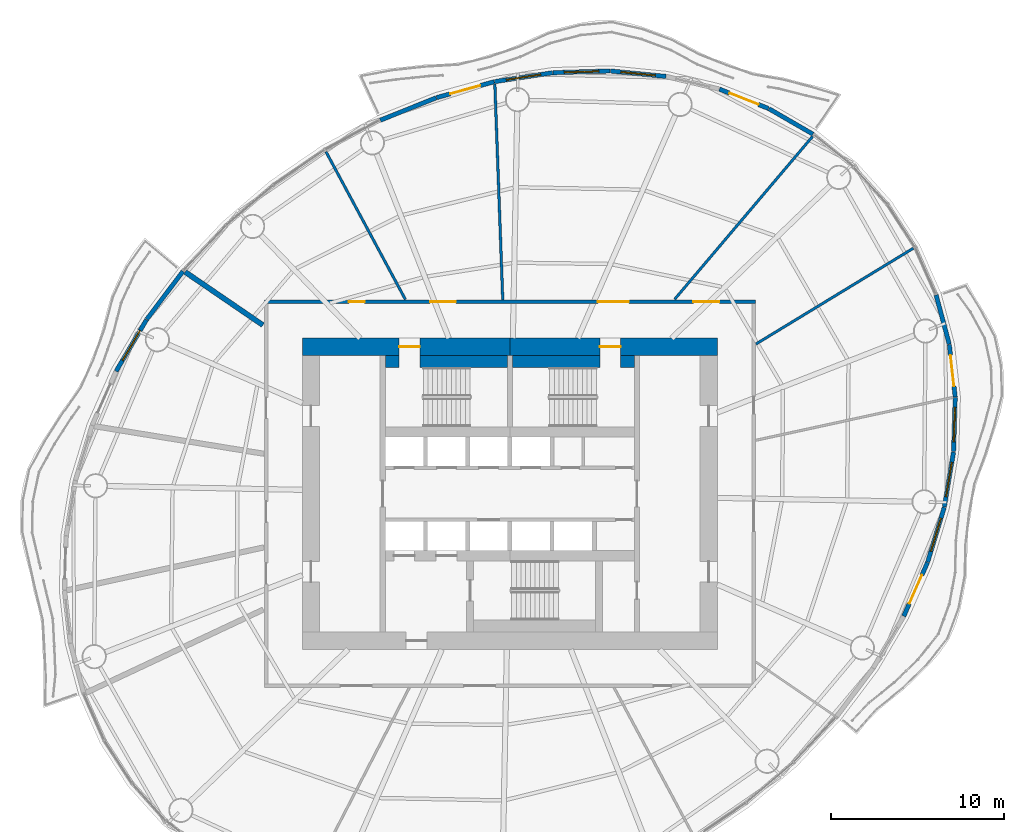
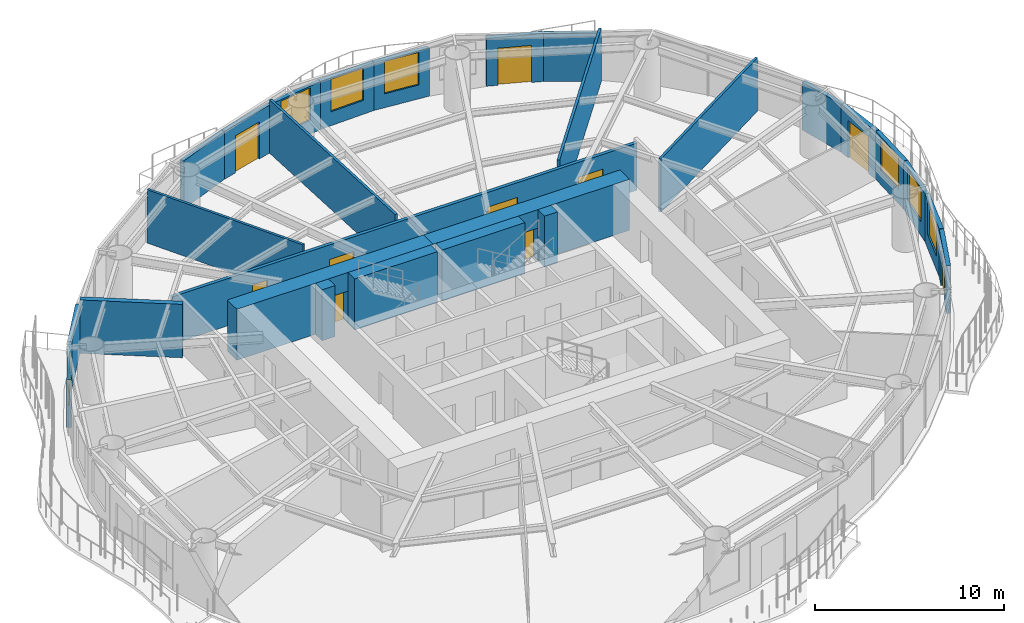
# One storey, part 10 of 15: 27 walls, 10 doors, 7 windows, 17 openings.
"""IFC4 building model written with IfcOpenShell, lengths in metres."""

from ifc_helpers import new_model, si_unit, direction, frame, frame_2d, origin, place, context, subcontext, project, spatial, rectangle, extrude, material, layer, layer_set, type_object, element, fill, save


model = new_model("IFC4")

# Units and contexts
model_context = context("Model", 3, precision=1e-05, world=origin(), true_north=direction((0.0, 1.0)))
body_context = subcontext(model_context, "Body", "Model", "MODEL_VIEW")
ifc_project = project(units=[si_unit("LENGTHUNIT", "METRE"), si_unit("AREAUNIT", "SQUARE_METRE"), si_unit("VOLUMEUNIT", "CUBIC_METRE"), si_unit("PLANEANGLEUNIT", "RADIAN"), si_unit("MASSUNIT", "GRAM", prefix="KILO")], contexts=[model_context])

# Site, building, storey
site_placement = place(None, origin())
site = spatial("IfcSite", under=ifc_project, at=site_placement, CompositionType="ELEMENT")
building_placement = place(site_placement, origin())
building = spatial("IfcBuilding", under=site, at=building_placement, Name="Vermilion Reach Broadcast Tower", CompositionType="ELEMENT")
storey_placement = place(building_placement, frame((0.0, 0.0, 183.0)))
storey = spatial("IfcBuildingStorey", under=building, at=storey_placement, Name="L44", CompositionType="ELEMENT", Elevation=183.0)

# Wall, opening, door
ifc_material_1 = material(Name="Concrete C70", Category="concrete")
ifc_layer_1 = layer(ifc_material_1, 1.0)
ifc_layer_set_1 = layer_set([ifc_layer_1], Name="Core outer wall 1000 mm Concrete C70")
wall_type_1 = type_object("IfcWallType", Name="Core outer wall 1000 mm Concrete C70", PredefinedType="SHEAR", material=ifc_layer_set_1)
wall_1_placement = place(storey_placement, frame((6.0, 8.5, 0.0), z_axis=(0.0, 0.0, 1.0), x_axis=(-1.0, 0.0, 0.0)))
wall_1 = element("IfcWall", 1, at=wall_1_placement, inside=storey, type_object=wall_type_1, Name="L44 core wall onE", PredefinedType="SHEAR", context=body_context, shape_type="SweptSolid", body=[
    extrude(rectangle(XDim=12.0, YDim=1.0, at=frame_2d((6.0, 0.0))), origin(), (0.0, 0.0, 1.0), 3.300048828125),
])
opening_1_placement = place(wall_1_placement, frame((5.60009765625, 0.0, 0.0)))
opening_1 = element("IfcOpeningElement", 2, at=opening_1_placement, cuts=wall_1, Name="Opening D01", PredefinedType="OPENING", context=body_context, shape_type="SweptSolid", body=[
    extrude(rectangle(XDim=1.199951171875, YDim=2.10009765625, at=frame_2d((0.60009765625, 1.050048828125))), frame((0.0, 0.510009765625, 0.0), z_axis=(0.0, -1.0, 0.0), x_axis=(1.0, 0.0, 0.0)), (0.0, 0.0, 1.0), 1.02001953125),
])
ifc_material_2 = material(Name="Painted steel fire door", Category="steel")
door_type_1 = type_object("IfcDoorType", Name="Stair door 1200 x 2100", OperationType="DOUBLE_DOOR_SINGLE_SWING", PredefinedType="NOTDEFINED", material=ifc_material_2)
door_1_placement = place(opening_1_placement, origin())
door_1 = element("IfcDoor", 3, at=door_1_placement, inside=storey, type_object=door_type_1, Name="L44 stair door ST2", OperationType="DOUBLE_DOOR_SINGLE_SWING", OverallHeight=2.10009765625, OverallWidth=1.199951171875, PredefinedType="NOTDEFINED", context=body_context, shape_type="SweptSolid", body=[
    extrude(rectangle(XDim=1.199951171875, YDim=2.10009765625, at=frame_2d((0.60009765625, 1.050048828125))), frame((0.0, 0.02490234375, 0.0), z_axis=(0.0, -1.0, 0.0), x_axis=(1.0, 0.0, 0.0)), (0.0, 0.0, 1.0), 0.050048828125),
])
fill(opening_1, door_1)

wall_2_placement = place(storey_placement, frame((-6.0, 8.5, 0.0), z_axis=(0.0, 0.0, 1.0), x_axis=(-1.0, 0.0, 0.0)))
wall_2 = element("IfcWall", 4, at=wall_2_placement, inside=storey, type_object=wall_type_1, Name="L44 core wall onW", PredefinedType="SHEAR", context=body_context, shape_type="SweptSolid", body=[
    extrude(rectangle(XDim=12.0, YDim=1.0, at=frame_2d((6.0, 0.0))), origin(), (0.0, 0.0, 1.0), 3.300048828125),
])
opening_2_placement = place(wall_2_placement, frame((5.199951171875, 0.0, 0.0)))
opening_2 = element("IfcOpeningElement", 5, at=opening_2_placement, cuts=wall_2, Name="Opening D01", PredefinedType="OPENING", context=body_context, shape_type="SweptSolid", body=[
    extrude(rectangle(XDim=1.199951171875, YDim=2.10009765625, at=frame_2d((0.60009765625, 1.050048828125))), frame((0.0, 0.510009765625, 0.0), z_axis=(0.0, -1.0, 0.0), x_axis=(1.0, 0.0, 0.0)), (0.0, 0.0, 1.0), 1.02001953125),
])
door_2_placement = place(opening_2_placement, origin())
door_2 = element("IfcDoor", 6, at=door_2_placement, inside=storey, type_object=door_type_1, Name="L44 stair door ST1", OperationType="DOUBLE_DOOR_SINGLE_SWING", OverallHeight=2.10009765625, OverallWidth=1.199951171875, PredefinedType="NOTDEFINED", context=body_context, shape_type="SweptSolid", body=[
    extrude(rectangle(XDim=1.199951171875, YDim=2.10009765625, at=frame_2d((0.60009765625, 1.050048828125))), frame((0.0, 0.02490234375, 0.0), z_axis=(0.0, -1.0, 0.0), x_axis=(1.0, 0.0, 0.0)), (0.0, 0.0, 1.0), 0.050048828125),
])
fill(opening_2, door_2)

# Walls
ifc_material_3 = material(Name="Concrete C70", Category="concrete")
ifc_layer_2 = layer(ifc_material_3, 0.699951171875)
ifc_layer_set_2 = layer_set([ifc_layer_2], Name="Core stair wall 700 mm Concrete C70")
wall_type_2 = type_object("IfcWallType", Name="Core stair wall 700 mm Concrete C70", PredefinedType="SHEAR", material=ifc_layer_set_2)
wall_3_placement = place(storey_placement, frame((-13.199951171875, 7.64990234375, 0.0), z_axis=(0.0, 0.0, 1.0), x_axis=(1.0, 0.0, 0.0)))
element("IfcWall", 7, at=wall_3_placement, inside=storey, type_object=wall_type_2, Name="L44 core wall l1a", PredefinedType="SHEAR", context=body_context, shape_type="SweptSolid", body=[
    extrude(rectangle(XDim=0.800048828125, YDim=0.699951171875, at=frame_2d((0.39990234375, 0.0))), origin(), (0.0, 0.0, 1.0), 3.300048828125),
])
for number, where, z_axis, x_axis, name in (
    (8, (-11.199951171875, 7.64990234375, 0.0), (0.0, 0.0, 1.0), (1.0, 0.0, 0.0), "L44 core wall l1b"),
    (9, (-5.85009765625, 7.64990234375, 0.0), (0.0, 0.0, 1.0), (1.0, 0.0, 0.0), "L44 core wall l2a"),
):
    element("IfcWall", number, at=place(storey_placement, frame(where, z_axis=z_axis, x_axis=x_axis)), inside=storey, type_object=wall_type_2, Name=name, PredefinedType="SHEAR", context=body_context, shape_type="SweptSolid", body=[
        extrude(rectangle(XDim=5.050048828125, YDim=0.699951171875, at=frame_2d((2.52490234375, 0.0))), origin(), (0.0, 0.0, 1.0), 3.300048828125),
    ])
wall_4_placement = place(storey_placement, frame((0.39990234375, 7.64990234375, 0.0), z_axis=(0.0, 0.0, 1.0), x_axis=(1.0, 0.0, 0.0)))
element("IfcWall", 10, at=wall_4_placement, inside=storey, type_object=wall_type_2, Name="L44 core wall l2b", PredefinedType="SHEAR", context=body_context, shape_type="SweptSolid", body=[
    extrude(rectangle(XDim=0.800048828125, YDim=0.699951171875, at=frame_2d((0.39990234375, 0.0))), origin(), (0.0, 0.0, 1.0), 3.300048828125),
])
ifc_material_4 = material(Name="Lightweight concrete block, plastered", Category="concrete")
ifc_layer_3 = layer(ifc_material_4, 0.14990234375)
ifc_layer_set_3 = layer_set([ifc_layer_3], Name="Partition 150 lightweight block")
wall_type_3 = type_object("IfcWallType", Name="Partition 150 lightweight block", PredefinedType="PARTITIONING", material=ifc_layer_set_3)
wall_5_placement = place(storey_placement, frame((11.5087890625, 20.670654296875, 0.0), z_axis=(0.0, 0.0, 1.0), x_axis=(-0.646338339336, -0.763050949219, 0.0)))
element("IfcWall", 11, at=wall_5_placement, inside=storey, type_object=wall_type_3, Name="Partition 44.01", PredefinedType="PARTITIONING", context=body_context, shape_type="SweptSolid", body=[
    extrude(rectangle(XDim=12.347900390625, YDim=0.14990234375, at=frame_2d((6.173828125, 0.0))), origin(), (0.0, 0.0, 1.0), 3.449951171875),
])
wall_6_placement = place(storey_placement, frame((-6.86865234375, 23.71630859375, 0.0), z_axis=(0.0, 0.0, 1.0), x_axis=(0.036615044028, -0.999329444453, 0.0)))
element("IfcWall", 12, at=wall_6_placement, inside=storey, type_object=wall_type_3, Name="Partition 44.02", PredefinedType="PARTITIONING", context=body_context, shape_type="SweptSolid", body=[
    extrude(rectangle(XDim=12.52197265625, YDim=0.14990234375, at=frame_2d((6.260986328125, 0.0))), origin(), (0.0, 0.0, 1.0), 3.449951171875),
])
wall_7_placement = place(storey_placement, frame((-16.636474609375, 19.7900390625, 0.0), z_axis=(0.0, 0.0, 1.0), x_axis=(0.473414588536, -0.880839728532, 0.0)))
element("IfcWall", 13, at=wall_7_placement, inside=storey, type_object=wall_type_3, Name="Partition 44.03", PredefinedType="PARTITIONING", context=body_context, shape_type="SweptSolid", body=[
    extrude(rectangle(XDim=9.711669921875, YDim=0.14990234375, at=frame_2d((4.85595703125, 0.0))), origin(), (0.0, 0.0, 1.0), 3.449951171875),
])
wall_8_placement = place(storey_placement, frame((17.334716796875, 14.203857421875, 0.0), z_axis=(0.0, 0.0, 1.0), x_axis=(-0.854194128167, -0.51995422049, 0.0)))
element("IfcWall", 14, at=wall_8_placement, inside=storey, type_object=wall_type_3, Name="Partition 44.12", PredefinedType="PARTITIONING", context=body_context, shape_type="SweptSolid", body=[
    extrude(rectangle(XDim=10.648193359375, YDim=0.14990234375, at=frame_2d((5.32421875, 0.0))), origin(), (0.0, 0.0, 1.0), 3.449951171875),
])
ifc_material_5 = material(Name="Double-leaf plasterboard on isolated steel stud", Category="steel")
ifc_layer_4 = layer(ifc_material_5, 0.300048828125)
ifc_layer_set_4 = layer_set([ifc_layer_4], Name="Partition 300 acoustic double leaf")
wall_type_4 = type_object("IfcWallType", Name="Partition 300 acoustic double leaf", PredefinedType="PARTITIONING", material=ifc_layer_set_4)
wall_9_placement = place(storey_placement, frame((-24.779052734375, 12.832275390625, 0.0), z_axis=(0.0, 0.0, 1.0), x_axis=(0.825654739336, -0.564175727422, 0.0)))
element("IfcWall", 15, at=wall_9_placement, inside=storey, type_object=wall_type_4, Name="Partition 44.04", PredefinedType="PARTITIONING", context=body_context, shape_type="SweptSolid", body=[
    extrude(rectangle(XDim=5.443359375, YDim=0.300048828125, at=frame_2d((2.7216796875, 0.0))), origin(), (0.0, 0.0, 1.0), 3.449951171875),
])
ifc_material_6 = material(Name="Terracotta rainscreen cladding", Category="masonry")
ifc_layer_5 = layer(ifc_material_6, 0.25)
ifc_layer_set_5 = layer_set([ifc_layer_5], Name="Terracotta rainscreen wall 250")
wall_type_5 = type_object("IfcWallType", Name="Terracotta rainscreen wall 250", PredefinedType="SOLIDWALL", material=ifc_layer_set_5)
wall_10_placement = place(storey_placement, frame((11.531982421875, 20.80126953125, 0.0), z_axis=(0.0, 0.0, 1.0), x_axis=(-0.865519049877, 0.500876006912, 0.0)))
element("IfcWall", 16, at=wall_10_placement, inside=storey, type_object=wall_type_5, Name="External wall L44 02", PredefinedType="SOLIDWALL", context=body_context, shape_type="SweptSolid", body=[
    extrude(rectangle(XDim=2.942626953125, YDim=0.25, at=frame_2d((1.47119140625, 0.0))), origin(), (0.0, 0.0, 1.0), 3.10009765625),
])

# Wall, opening, door
wall_11_placement = place(storey_placement, frame((8.961181640625, 22.28662109375, 0.0), z_axis=(0.0, 0.0, 1.0), x_axis=(-0.930291773294, 0.366820414564, 0.0)))
wall_11 = element("IfcWall", 17, at=wall_11_placement, inside=storey, type_object=wall_type_5, Name="External wall L44 03", PredefinedType="SOLIDWALL", context=body_context, shape_type="SweptSolid", body=[
    extrude(rectangle(XDim=3.051513671875, YDim=0.25, at=frame_2d((1.52587890625, 0.0))), origin(), (0.0, 0.0, 1.0), 3.10009765625),
])
opening_3_placement = place(wall_11_placement, frame((0.6259765625, 0.0, 0.0)))
opening_3 = element("IfcOpeningElement", 18, at=opening_3_placement, cuts=wall_11, Name="Opening D70", PredefinedType="OPENING", context=body_context, shape_type="SweptSolid", body=[
    extrude(rectangle(XDim=1.800048828125, YDim=2.39990234375, at=frame_2d((0.89990234375, 1.199951171875))), frame((0.0, 0.135009765625, 0.0), z_axis=(0.0, -1.0, 0.0), x_axis=(1.0, 0.0, 0.0)), (0.0, 0.0, 1.0), 0.27001953125),
])
ifc_material_7 = material(Name="Low-e laminated clear glass in aluminium frame", Category="aluminium")
door_type_2 = type_object("IfcDoorType", Name="Balcony sliding door 1800 x 2400", OperationType="DOUBLE_DOOR_SLIDING", PredefinedType="DOOR", material=ifc_material_7)
door_3_placement = place(opening_3_placement, origin())
door_3 = element("IfcDoor", 19, at=door_3_placement, inside=storey, type_object=door_type_2, Name="Balcony door L44 run 01", OperationType="DOUBLE_DOOR_SLIDING", OverallHeight=2.39990234375, OverallWidth=1.800048828125, PredefinedType="DOOR", context=body_context, shape_type="SweptSolid", body=[
    extrude(rectangle(XDim=1.800048828125, YDim=2.39990234375, at=frame_2d((0.89990234375, 1.199951171875))), frame((0.0, 0.02490234375, 0.0), z_axis=(0.0, -1.0, 0.0), x_axis=(1.0, 0.0, 0.0)), (0.0, 0.0, 1.0), 0.050048828125),
])
fill(opening_3, door_3)

# Wall, opening, window
wall_12_placement = place(storey_placement, frame((3.02587890625, 24.141845703125, 0.0), z_axis=(0.0, 0.0, 1.0), x_axis=(-0.995197289781, 0.097889501037, 0.0)))
wall_12 = element("IfcWall", 20, at=wall_12_placement, inside=storey, type_object=wall_type_5, Name="External wall L44 05", PredefinedType="SOLIDWALL", context=body_context, shape_type="SweptSolid", body=[
    extrude(rectangle(XDim=3.2197265625, YDim=0.25, at=frame_2d((1.60986328125, 0.0))), origin(), (0.0, 0.0, 1.0), 3.10009765625),
])
opening_4_placement = place(wall_12_placement, frame((0.60986328125, 0.0, 0.89990234375)))
opening_4 = element("IfcOpeningElement", 21, at=opening_4_placement, cuts=wall_12, Name="Opening W03", PredefinedType="OPENING", context=body_context, shape_type="SweptSolid", body=[
    extrude(rectangle(XDim=2.0, YDim=2.10009765625, at=frame_2d((1.0, 1.050048828125))), frame((0.0, 0.135009765625, 0.0), z_axis=(0.0, -1.0, 0.0), x_axis=(1.0, 0.0, 0.0)), (0.0, 0.0, 1.0), 0.27001953125),
])
ifc_material_8 = material(Name="Low-e laminated clear glass in aluminium frame", Category="aluminium")
window_type = type_object("IfcWindowType", Name="Punched window 2000 x 2100 sill 900", PartitioningType="SINGLE_PANEL", PredefinedType="WINDOW", material=ifc_material_8)
window_1_placement = place(opening_4_placement, origin())
window_1 = element("IfcWindow", 22, at=window_1_placement, inside=storey, type_object=window_type, Name="Window L44 05", OverallHeight=2.10009765625, OverallWidth=2.0, PartitioningType="SINGLE_PANEL", PredefinedType="WINDOW", context=body_context, shape_type="SweptSolid", body=[
    extrude(rectangle(XDim=2.0, YDim=2.10009765625, at=frame_2d((1.0, 1.050048828125))), frame((0.0, 0.030029296875, 0.0), z_axis=(0.0, -1.0, 0.0), x_axis=(1.0, 0.0, 0.0)), (0.0, 0.0, 1.0), 0.06005859375),
])
fill(opening_4, window_1)

wall_13_placement = place(storey_placement, frame((-0.20263671875, 24.4580078125, 0.0), z_axis=(0.0, 0.0, 1.0), x_axis=(-0.999539823928, -0.030333815819, 0.0)))
wall_13 = element("IfcWall", 23, at=wall_13_placement, inside=storey, type_object=wall_type_5, Name="External wall L44 06", PredefinedType="SOLIDWALL", context=body_context, shape_type="SweptSolid", body=[
    extrude(rectangle(XDim=3.307861328125, YDim=0.25, at=frame_2d((1.65380859375, 0.0))), origin(), (0.0, 0.0, 1.0), 3.10009765625),
])
opening_5_placement = place(wall_13_placement, frame((0.654052734375, 0.0, 0.89990234375)))
opening_5 = element("IfcOpeningElement", 24, at=opening_5_placement, cuts=wall_13, Name="Opening W03", PredefinedType="OPENING", context=body_context, shape_type="SweptSolid", body=[
    extrude(rectangle(XDim=2.0, YDim=2.10009765625, at=frame_2d((1.0, 1.050048828125))), frame((0.0, 0.135009765625, 0.0), z_axis=(0.0, -1.0, 0.0), x_axis=(1.0, 0.0, 0.0)), (0.0, 0.0, 1.0), 0.27001953125),
])
window_2_placement = place(opening_5_placement, origin())
window_2 = element("IfcWindow", 25, at=window_2_placement, inside=storey, type_object=window_type, Name="Window L44 06", OverallHeight=2.10009765625, OverallWidth=2.0, PartitioningType="SINGLE_PANEL", PredefinedType="WINDOW", context=body_context, shape_type="SweptSolid", body=[
    extrude(rectangle(XDim=2.0, YDim=2.10009765625, at=frame_2d((1.0, 1.050048828125))), frame((0.0, 0.030029296875, 0.0), z_axis=(0.0, -1.0, 0.0), x_axis=(1.0, 0.0, 0.0)), (0.0, 0.0, 1.0), 0.06005859375),
])
fill(opening_5, window_2)

wall_14_placement = place(storey_placement, frame((-3.5322265625, 24.35546875, 0.0), z_axis=(0.0, 0.0, 1.0), x_axis=(-0.988391666962, -0.151927326968, 0.0)))
wall_14 = element("IfcWall", 26, at=wall_14_placement, inside=storey, type_object=wall_type_5, Name="External wall L44 07", PredefinedType="SOLIDWALL", context=body_context, shape_type="SweptSolid", body=[
    extrude(rectangle(XDim=3.390625, YDim=0.25, at=frame_2d((1.6953125, 0.0))), origin(), (0.0, 0.0, 1.0), 3.10009765625),
])
opening_6_placement = place(wall_14_placement, frame((0.6953125, 0.0, 0.89990234375)))
opening_6 = element("IfcOpeningElement", 27, at=opening_6_placement, cuts=wall_14, Name="Opening W03", PredefinedType="OPENING", context=body_context, shape_type="SweptSolid", body=[
    extrude(rectangle(XDim=2.0, YDim=2.10009765625, at=frame_2d((1.0, 1.050048828125))), frame((0.0, 0.135009765625, 0.0), z_axis=(0.0, -1.0, 0.0), x_axis=(1.0, 0.0, 0.0)), (0.0, 0.0, 1.0), 0.27001953125),
])
window_3_placement = place(opening_6_placement, origin())
window_3 = element("IfcWindow", 28, at=window_3_placement, inside=storey, type_object=window_type, Name="Window L44 07", OverallHeight=2.10009765625, OverallWidth=2.0, PartitioningType="SINGLE_PANEL", PredefinedType="WINDOW", context=body_context, shape_type="SweptSolid", body=[
    extrude(rectangle(XDim=2.0, YDim=2.10009765625, at=frame_2d((1.0, 1.050048828125))), frame((0.0, 0.030029296875, 0.0), z_axis=(0.0, -1.0, 0.0), x_axis=(1.0, 0.0, 0.0)), (0.0, 0.0, 1.0), 0.06005859375),
])
fill(opening_6, window_3)

# Wall, opening, door
wall_15_placement = place(storey_placement, frame((-6.90576171875, 23.835693359375, 0.0), z_axis=(0.0, 0.0, 1.0), x_axis=(-0.963922792933, -0.266181985236, 0.0)))
wall_15 = element("IfcWall", 29, at=wall_15_placement, inside=storey, type_object=wall_type_5, Name="External wall L44 08", PredefinedType="SOLIDWALL", context=body_context, shape_type="SweptSolid", body=[
    extrude(rectangle(XDim=3.46337890625, YDim=0.25, at=frame_2d((1.731689453125, 0.0))), origin(), (0.0, 0.0, 1.0), 3.10009765625),
])
opening_7_placement = place(wall_15_placement, frame((0.83203125, 0.0, 0.0)))
opening_7 = element("IfcOpeningElement", 30, at=opening_7_placement, cuts=wall_15, Name="Opening D70", PredefinedType="OPENING", context=body_context, shape_type="SweptSolid", body=[
    extrude(rectangle(XDim=1.800048828125, YDim=2.39990234375, at=frame_2d((0.89990234375, 1.199951171875))), frame((0.0, 0.135009765625, 0.0), z_axis=(0.0, -1.0, 0.0), x_axis=(1.0, 0.0, 0.0)), (0.0, 0.0, 1.0), 0.27001953125),
])
door_4_placement = place(opening_7_placement, origin())
door_4 = element("IfcDoor", 31, at=door_4_placement, inside=storey, type_object=door_type_2, Name="Balcony door L44 run 02", OperationType="DOUBLE_DOOR_SLIDING", OverallHeight=2.39990234375, OverallWidth=1.800048828125, PredefinedType="DOOR", context=body_context, shape_type="SweptSolid", body=[
    extrude(rectangle(XDim=1.800048828125, YDim=2.39990234375, at=frame_2d((0.89990234375, 1.199951171875))), frame((0.0, 0.02490234375, 0.0), z_axis=(0.0, -1.0, 0.0), x_axis=(1.0, 0.0, 0.0)), (0.0, 0.0, 1.0), 0.050048828125),
])
fill(opening_7, door_4)

# Walls
wall_16_placement = place(storey_placement, frame((-10.26513671875, 22.90673828125, 0.0), z_axis=(0.0, 0.0, 1.0), x_axis=(-0.92785563981, -0.372939554984, 0.0)))
element("IfcWall", 32, at=wall_16_placement, inside=storey, type_object=wall_type_5, Name="External wall L44 09", PredefinedType="SOLIDWALL", context=body_context, shape_type="SweptSolid", body=[
    extrude(rectangle(XDim=3.4775390625, YDim=0.25, at=frame_2d((1.73876953125, 0.0))), origin(), (0.0, 0.0, 1.0), 3.10009765625),
])
wall_17_placement = place(storey_placement, frame((-24.90771484375, 12.869140625, 0.0), z_axis=(0.0, 0.0, 1.0), x_axis=(-0.602031278038, -0.798472504388, 0.0)))
element("IfcWall", 33, at=wall_17_placement, inside=storey, type_object=wall_type_5, Name="External wall L44 14", PredefinedType="SOLIDWALL", context=body_context, shape_type="SweptSolid", body=[
    extrude(rectangle(XDim=3.477294921875, YDim=0.25, at=frame_2d((1.73876953125, 0.0))), origin(), (0.0, 0.0, 1.0), 3.10009765625),
])

# Wall, opening, window
wall_18_placement = place(storey_placement, frame((-27.013427734375, 10.07421875, 0.0), z_axis=(0.0, 0.0, 1.0), x_axis=(-0.508356425064, -0.861146761648, 0.0)))
wall_18 = element("IfcWall", 34, at=wall_18_placement, inside=storey, type_object=wall_type_5, Name="External wall L44 15", PredefinedType="SOLIDWALL", context=body_context, shape_type="SweptSolid", body=[
    extrude(rectangle(XDim=3.463623046875, YDim=0.25, at=frame_2d((1.73193359375, 0.0))), origin(), (0.0, 0.0, 1.0), 3.10009765625),
])
opening_8_placement = place(wall_18_placement, frame((0.731689453125, 0.0, 0.89990234375)))
opening_8 = element("IfcOpeningElement", 35, at=opening_8_placement, cuts=wall_18, Name="Opening W03", PredefinedType="OPENING", context=body_context, shape_type="SweptSolid", body=[
    extrude(rectangle(XDim=2.0, YDim=2.10009765625, at=frame_2d((1.0, 1.050048828125))), frame((0.0, 0.135009765625, 0.0), z_axis=(0.0, -1.0, 0.0), x_axis=(1.0, 0.0, 0.0)), (0.0, 0.0, 1.0), 0.27001953125),
])
window_4_placement = place(opening_8_placement, origin())
window_4 = element("IfcWindow", 36, at=window_4_placement, inside=storey, type_object=window_type, Name="Window L44 15", OverallHeight=2.10009765625, OverallWidth=2.0, PartitioningType="SINGLE_PANEL", PredefinedType="WINDOW", context=body_context, shape_type="SweptSolid", body=[
    extrude(rectangle(XDim=2.0, YDim=2.10009765625, at=frame_2d((1.0, 1.050048828125))), frame((0.0, 0.030029296875, 0.0), z_axis=(0.0, -1.0, 0.0), x_axis=(1.0, 0.0, 0.0)), (0.0, 0.0, 1.0), 0.06005859375),
])
fill(opening_8, window_4)

# Wall, opening, door
wall_19_placement = place(storey_placement, frame((16.784423828125, -7.071533203125, 0.0), z_axis=(0.0, 0.0, 1.0), x_axis=(0.404494434215, 0.914540459843, 0.0)))
wall_19 = element("IfcWall", 37, at=wall_19_placement, inside=storey, type_object=wall_type_5, Name="External wall L44 40", PredefinedType="SOLIDWALL", context=body_context, shape_type="SweptSolid", body=[
    extrude(rectangle(XDim=3.390869140625, YDim=0.25, at=frame_2d((1.6953125, 0.0))), origin(), (0.0, 0.0, 1.0), 3.10009765625),
])
opening_9_placement = place(wall_19_placement, frame((0.794921875, 0.0, 0.0)))
opening_9 = element("IfcOpeningElement", 38, at=opening_9_placement, cuts=wall_19, Name="Opening D70", PredefinedType="OPENING", context=body_context, shape_type="SweptSolid", body=[
    extrude(rectangle(XDim=1.800048828125, YDim=2.39990234375, at=frame_2d((0.89990234375, 1.199951171875))), frame((0.0, 0.135009765625, 0.0), z_axis=(0.0, -1.0, 0.0), x_axis=(1.0, 0.0, 0.0)), (0.0, 0.0, 1.0), 0.27001953125),
])
door_5_placement = place(opening_9_placement, origin())
door_5 = element("IfcDoor", 39, at=door_5_placement, inside=storey, type_object=door_type_2, Name="Balcony door L44 run 10", OperationType="DOUBLE_DOOR_SLIDING", OverallHeight=2.39990234375, OverallWidth=1.800048828125, PredefinedType="DOOR", context=body_context, shape_type="SweptSolid", body=[
    extrude(rectangle(XDim=1.800048828125, YDim=2.39990234375, at=frame_2d((0.89990234375, 1.199951171875))), frame((0.0, 0.02490234375, 0.0), z_axis=(0.0, -1.0, 0.0), x_axis=(1.0, 0.0, 0.0)), (0.0, 0.0, 1.0), 0.050048828125),
])
fill(opening_9, door_5)

# Wall, opening, window
wall_20_placement = place(storey_placement, frame((18.1640625, -3.94873046875, 0.0), z_axis=(0.0, 0.0, 1.0), x_axis=(0.290048362563, 0.957011989149, 0.0)))
wall_20 = element("IfcWall", 40, at=wall_20_placement, inside=storey, type_object=wall_type_5, Name="External wall L44 41", PredefinedType="SOLIDWALL", context=body_context, shape_type="SweptSolid", body=[
    extrude(rectangle(XDim=3.307861328125, YDim=0.25, at=frame_2d((1.65380859375, 0.0))), origin(), (0.0, 0.0, 1.0), 3.10009765625),
])
opening_10_placement = place(wall_20_placement, frame((0.654052734375, 0.0, 0.89990234375)))
opening_10 = element("IfcOpeningElement", 41, at=opening_10_placement, cuts=wall_20, Name="Opening W03", PredefinedType="OPENING", context=body_context, shape_type="SweptSolid", body=[
    extrude(rectangle(XDim=2.0, YDim=2.10009765625, at=frame_2d((1.0, 1.050048828125))), frame((0.0, 0.135009765625, 0.0), z_axis=(0.0, -1.0, 0.0), x_axis=(1.0, 0.0, 0.0)), (0.0, 0.0, 1.0), 0.27001953125),
])
window_5_placement = place(opening_10_placement, origin())
window_5 = element("IfcWindow", 42, at=window_5_placement, inside=storey, type_object=window_type, Name="Window L44 41", OverallHeight=2.10009765625, OverallWidth=2.0, PartitioningType="SINGLE_PANEL", PredefinedType="WINDOW", context=body_context, shape_type="SweptSolid", body=[
    extrude(rectangle(XDim=2.0, YDim=2.10009765625, at=frame_2d((1.0, 1.050048828125))), frame((0.0, 0.030029296875, 0.0), z_axis=(0.0, -1.0, 0.0), x_axis=(1.0, 0.0, 0.0)), (0.0, 0.0, 1.0), 0.06005859375),
])
fill(opening_10, window_5)

wall_21_placement = place(storey_placement, frame((19.12890625, -0.759521484375, 0.0), z_axis=(0.0, 0.0, 1.0), x_axis=(0.165062898456, 0.986283042313, 0.0)))
wall_21 = element("IfcWall", 43, at=wall_21_placement, inside=storey, type_object=wall_type_5, Name="External wall L44 42", PredefinedType="SOLIDWALL", context=body_context, shape_type="SweptSolid", body=[
    extrude(rectangle(XDim=3.219970703125, YDim=0.25, at=frame_2d((1.60986328125, 0.0))), origin(), (0.0, 0.0, 1.0), 3.10009765625),
])
opening_11_placement = place(wall_21_placement, frame((0.60986328125, 0.0, 0.89990234375)))
opening_11 = element("IfcOpeningElement", 44, at=opening_11_placement, cuts=wall_21, Name="Opening W03", PredefinedType="OPENING", context=body_context, shape_type="SweptSolid", body=[
    extrude(rectangle(XDim=2.0, YDim=2.10009765625, at=frame_2d((1.0, 1.050048828125))), frame((0.0, 0.135009765625, 0.0), z_axis=(0.0, -1.0, 0.0), x_axis=(1.0, 0.0, 0.0)), (0.0, 0.0, 1.0), 0.27001953125),
])
window_6_placement = place(opening_11_placement, origin())
window_6 = element("IfcWindow", 45, at=window_6_placement, inside=storey, type_object=window_type, Name="Window L44 42", OverallHeight=2.10009765625, OverallWidth=2.0, PartitioningType="SINGLE_PANEL", PredefinedType="WINDOW", context=body_context, shape_type="SweptSolid", body=[
    extrude(rectangle(XDim=2.0, YDim=2.10009765625, at=frame_2d((1.0, 1.050048828125))), frame((0.0, 0.030029296875, 0.0), z_axis=(0.0, -1.0, 0.0), x_axis=(1.0, 0.0, 0.0)), (0.0, 0.0, 1.0), 0.06005859375),
])
fill(opening_11, window_6)

wall_22_placement = place(storey_placement, frame((19.662841796875, 2.44091796875, 0.0), z_axis=(0.0, 0.0, 1.0), x_axis=(0.030631283966, 0.999530752125, 0.0)))
wall_22 = element("IfcWall", 46, at=wall_22_placement, inside=storey, type_object=wall_type_5, Name="External wall L44 43", PredefinedType="SOLIDWALL", context=body_context, shape_type="SweptSolid", body=[
    extrude(rectangle(XDim=3.13232421875, YDim=0.25, at=frame_2d((1.566162109375, 0.0))), origin(), (0.0, 0.0, 1.0), 3.10009765625),
])
opening_12_placement = place(wall_22_placement, frame((0.566162109375, 0.0, 0.89990234375)))
opening_12 = element("IfcOpeningElement", 47, at=opening_12_placement, cuts=wall_22, Name="Opening W03", PredefinedType="OPENING", context=body_context, shape_type="SweptSolid", body=[
    extrude(rectangle(XDim=2.0, YDim=2.10009765625, at=frame_2d((1.0, 1.050048828125))), frame((0.0, 0.135009765625, 0.0), z_axis=(0.0, -1.0, 0.0), x_axis=(1.0, 0.0, 0.0)), (0.0, 0.0, 1.0), 0.27001953125),
])
window_7_placement = place(opening_12_placement, origin())
window_7 = element("IfcWindow", 48, at=window_7_placement, inside=storey, type_object=window_type, Name="Window L44 43", OverallHeight=2.10009765625, OverallWidth=2.0, PartitioningType="SINGLE_PANEL", PredefinedType="WINDOW", context=body_context, shape_type="SweptSolid", body=[
    extrude(rectangle(XDim=2.0, YDim=2.10009765625, at=frame_2d((1.0, 1.050048828125))), frame((0.0, 0.030029296875, 0.0), z_axis=(0.0, -1.0, 0.0), x_axis=(1.0, 0.0, 0.0)), (0.0, 0.0, 1.0), 0.06005859375),
])
fill(opening_12, window_7)

# Wall, opening, door
wall_23_placement = place(storey_placement, frame((19.7578125, 5.597412109375, 0.0), z_axis=(0.0, 0.0, 1.0), x_axis=(-0.111450096945, 0.993770031693, 0.0)))
wall_23 = element("IfcWall", 49, at=wall_23_placement, inside=storey, type_object=wall_type_5, Name="External wall L44 44", PredefinedType="SOLIDWALL", context=body_context, shape_type="SweptSolid", body=[
    extrude(rectangle(XDim=3.051513671875, YDim=0.25, at=frame_2d((1.52587890625, 0.0))), origin(), (0.0, 0.0, 1.0), 3.10009765625),
])
opening_13_placement = place(wall_23_placement, frame((0.6259765625, 0.0, 0.0)))
opening_13 = element("IfcOpeningElement", 50, at=opening_13_placement, cuts=wall_23, Name="Opening D70", PredefinedType="OPENING", context=body_context, shape_type="SweptSolid", body=[
    extrude(rectangle(XDim=1.800048828125, YDim=2.39990234375, at=frame_2d((0.89990234375, 1.199951171875))), frame((0.0, 0.135009765625, 0.0), z_axis=(0.0, -1.0, 0.0), x_axis=(1.0, 0.0, 0.0)), (0.0, 0.0, 1.0), 0.27001953125),
])
door_6_placement = place(opening_13_placement, origin())
door_6 = element("IfcDoor", 51, at=door_6_placement, inside=storey, type_object=door_type_2, Name="Balcony door L44 run 11", OperationType="DOUBLE_DOOR_SLIDING", OverallHeight=2.39990234375, OverallWidth=1.800048828125, PredefinedType="DOOR", context=body_context, shape_type="SweptSolid", body=[
    extrude(rectangle(XDim=1.800048828125, YDim=2.39990234375, at=frame_2d((0.89990234375, 1.199951171875))), frame((0.0, 0.02490234375, 0.0), z_axis=(0.0, -1.0, 0.0), x_axis=(1.0, 0.0, 0.0)), (0.0, 0.0, 1.0), 0.050048828125),
])
fill(opening_13, door_6)

# Wall
wall_24_placement = place(storey_placement, frame((19.412841796875, 8.656005859375, 0.0), z_axis=(0.0, 0.0, 1.0), x_axis=(-0.257791752942, 0.966200503061, 0.0)))
element("IfcWall", 52, at=wall_24_placement, inside=storey, type_object=wall_type_5, Name="External wall L44 45", PredefinedType="SOLIDWALL", context=body_context, shape_type="SweptSolid", body=[
    extrude(rectangle(XDim=2.9423828125, YDim=0.25, at=frame_2d((1.47119140625, 0.0))), origin(), (0.0, 0.0, 1.0), 3.10009765625),
])

# Wall, openings, doors
ifc_material_9 = material(Name="Fire-rated gypsum board partition")
ifc_layer_6 = layer(ifc_material_9, 0.199951171875)
ifc_layer_set_6 = layer_set([ifc_layer_6], Name="Under girder: Corridor wall 200 fire-rated")
wall_type_6 = type_object("IfcWallType", Name="Under girder: Corridor wall 200 fire-rated", PredefinedType="PARTITIONING", material=ifc_layer_set_6)
wall_25_placement = place(storey_placement, frame((-20.199951171875, 11.10009765625, 0.0), z_axis=(0.0, 0.0, 1.0), x_axis=(1.0, 0.0, 0.0)))
wall_25 = element("IfcWall", 53, at=wall_25_placement, inside=storey, type_object=wall_type_6, Name="Corridor wall 44.N", PredefinedType="PARTITIONING", context=body_context, shape_type="SweptSolid", body=[
    extrude(rectangle(XDim=28.39990234375, YDim=0.199951171875, at=frame_2d((14.199951171875, 0.0))), origin(), (0.0, 0.0, 1.0), 3.050048828125),
])
opening_14_placement = place(wall_25_placement, frame((19.28759765625, 0.0, 0.0)))
opening_14 = element("IfcOpeningElement", 54, at=opening_14_placement, cuts=wall_25, Name="Opening D21", PredefinedType="OPENING", context=body_context, shape_type="SweptSolid", body=[
    extrude(rectangle(XDim=1.800048828125, YDim=2.10009765625, at=frame_2d((0.89990234375, 1.050048828125))), frame((0.0, 0.10986328125, 0.0), z_axis=(0.0, -1.0, 0.0), x_axis=(1.0, 0.0, 0.0)), (0.0, 0.0, 1.0), 0.219970703125),
])
opening_15_placement = place(wall_25_placement, frame((9.583251953125, 0.0, 0.0)))
opening_15 = element("IfcOpeningElement", 55, at=opening_15_placement, cuts=wall_25, Name="Opening D24", PredefinedType="OPENING", context=body_context, shape_type="SweptSolid", body=[
    extrude(rectangle(XDim=1.5, YDim=2.10009765625, at=frame_2d((0.75, 1.050048828125))), frame((0.0, 0.10986328125, 0.0), z_axis=(0.0, -1.0, 0.0), x_axis=(1.0, 0.0, 0.0)), (0.0, 0.0, 1.0), 0.219970703125),
])
opening_16_placement = place(wall_25_placement, frame((4.896240234375, 0.0, 0.0)))
opening_16 = element("IfcOpeningElement", 56, at=opening_16_placement, cuts=wall_25, Name="Opening D22", PredefinedType="OPENING", context=body_context, shape_type="SweptSolid", body=[
    extrude(rectangle(XDim=0.89990234375, YDim=2.10009765625, at=frame_2d((0.449951171875, 1.050048828125))), frame((0.0, 0.10986328125, 0.0), z_axis=(0.0, -1.0, 0.0), x_axis=(1.0, 0.0, 0.0)), (0.0, 0.0, 1.0), 0.219970703125),
])
opening_17_placement = place(wall_25_placement, frame((24.82080078125, 0.0, 0.0)))
opening_17 = element("IfcOpeningElement", 57, at=opening_17_placement, cuts=wall_25, Name="Opening D24", PredefinedType="OPENING", context=body_context, shape_type="SweptSolid", body=[
    extrude(rectangle(XDim=1.5, YDim=2.10009765625, at=frame_2d((0.75, 1.050048828125))), frame((0.0, 0.10986328125, 0.0), z_axis=(0.0, -1.0, 0.0), x_axis=(1.0, 0.0, 0.0)), (0.0, 0.0, 1.0), 0.219970703125),
])
ifc_material_10 = material(Name="Timber door leaf", Category="wood")
door_type_3 = type_object("IfcDoorType", Name="Door pair 1500x2100", OperationType="NOTDEFINED", PredefinedType="DOOR", material=ifc_material_10)
door_7_placement = place(opening_15_placement, origin())
door_7 = element("IfcDoor", 58, at=door_7_placement, inside=storey, type_object=door_type_3, Name="Door 44.02", OperationType="DOUBLE_DOOR_SINGLE_SWING", OverallHeight=2.10009765625, OverallWidth=1.5, PredefinedType="DOOR", context=body_context, shape_type="SweptSolid", body=[
    extrude(rectangle(XDim=1.5, YDim=2.10009765625, at=frame_2d((0.75, 1.050048828125))), frame((0.0, 0.02490234375, 0.0), z_axis=(0.0, -1.0, 0.0), x_axis=(1.0, 0.0, 0.0)), (0.0, 0.0, 1.0), 0.050048828125),
])
fill(opening_15, door_7)
door_8_placement = place(opening_17_placement, origin())
door_8 = element("IfcDoor", 59, at=door_8_placement, inside=storey, type_object=door_type_3, Name="Door 44.12", OperationType="DOUBLE_DOOR_SINGLE_SWING", OverallHeight=2.10009765625, OverallWidth=1.5, PredefinedType="DOOR", context=body_context, shape_type="SweptSolid", body=[
    extrude(rectangle(XDim=1.5, YDim=2.10009765625, at=frame_2d((0.75, 1.050048828125))), frame((0.0, 0.02490234375, 0.0), z_axis=(0.0, -1.0, 0.0), x_axis=(1.0, 0.0, 0.0)), (0.0, 0.0, 1.0), 0.050048828125),
])
fill(opening_17, door_8)
ifc_material_11 = material(Name="Timber door leaf", Category="wood")
door_type_4 = type_object("IfcDoorType", Name="Door pair 1800x2100", OperationType="NOTDEFINED", PredefinedType="DOOR", material=ifc_material_11)
door_9_placement = place(opening_14_placement, origin())
door_9 = element("IfcDoor", 60, at=door_9_placement, inside=storey, type_object=door_type_4, Name="Door 44.01", OperationType="DOUBLE_DOOR_SINGLE_SWING", OverallHeight=2.10009765625, OverallWidth=1.800048828125, PredefinedType="DOOR", context=body_context, shape_type="SweptSolid", body=[
    extrude(rectangle(XDim=1.800048828125, YDim=2.10009765625, at=frame_2d((0.89990234375, 1.050048828125))), frame((0.0, 0.02490234375, 0.0), z_axis=(0.0, -1.0, 0.0), x_axis=(1.0, 0.0, 0.0)), (0.0, 0.0, 1.0), 0.050048828125),
])
fill(opening_14, door_9)
ifc_material_12 = material(Name="Timber door leaf", Category="wood")
door_type_5 = type_object("IfcDoorType", Name="Door single 900x2100", OperationType="NOTDEFINED", PredefinedType="DOOR", material=ifc_material_12)
door_10_placement = place(opening_16_placement, origin())
door_10 = element("IfcDoor", 61, at=door_10_placement, inside=storey, type_object=door_type_5, Name="Door 44.03", OperationType="SINGLE_SWING_RIGHT", OverallHeight=2.10009765625, OverallWidth=0.89990234375, PredefinedType="DOOR", context=body_context, shape_type="SweptSolid", body=[
    extrude(rectangle(XDim=0.89990234375, YDim=2.10009765625, at=frame_2d((0.449951171875, 1.050048828125))), frame((0.0, 0.02490234375, 0.0), z_axis=(0.0, -1.0, 0.0), x_axis=(1.0, 0.0, 0.0)), (0.0, 0.0, 1.0), 0.050048828125),
])
fill(opening_16, door_10)

save(model, "model.ifc")
